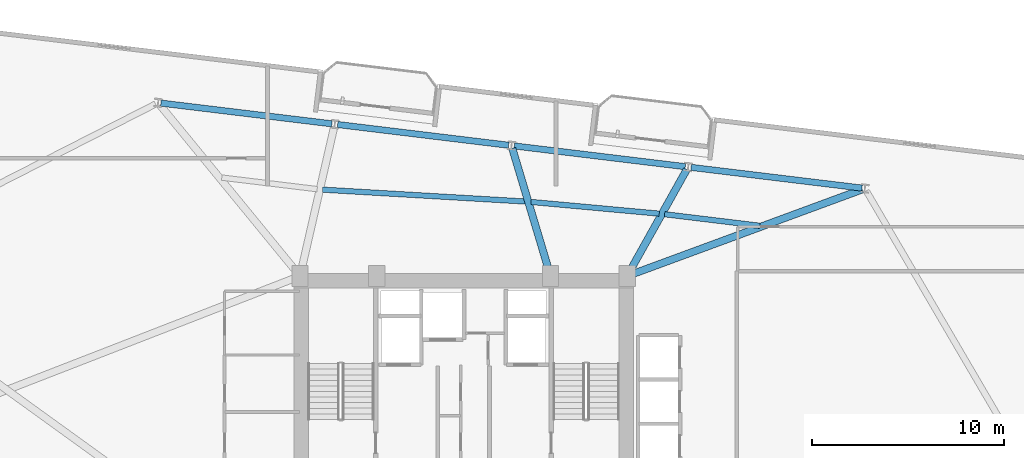
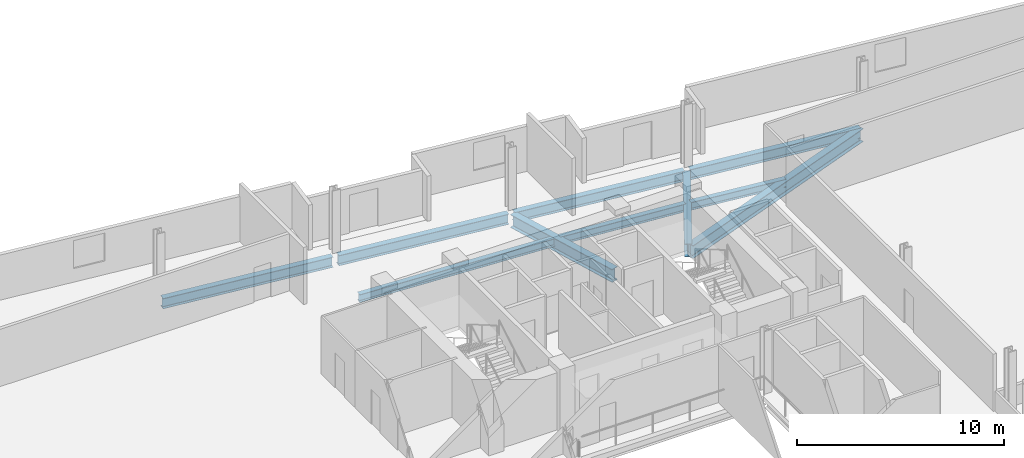
# One storey, part 13 of 26: 10 beams.
"""IFC4 building model written with IfcOpenShell, lengths in metres."""

from ifc_helpers import new_model, si_unit, direction, frame, origin, origin_2d, place, context, subcontext, project, spatial, i_section, extrude, material, material_profile, profile_set, type_object, element, save


model = new_model("IFC4")

# Units and contexts
model_context = context("Model", 3, precision=1e-05, world=origin(), true_north=direction((0.0, 1.0)))
body_context = subcontext(model_context, "Body", "Model", "MODEL_VIEW")
ifc_project = project(units=[si_unit("LENGTHUNIT", "METRE"), si_unit("AREAUNIT", "SQUARE_METRE"), si_unit("VOLUMEUNIT", "CUBIC_METRE"), si_unit("PLANEANGLEUNIT", "RADIAN"), si_unit("MASSUNIT", "GRAM", prefix="KILO")], contexts=[model_context])

# Site, building, storey
site_placement = place(None, origin())
site = spatial("IfcSite", under=ifc_project, at=site_placement, CompositionType="ELEMENT")
building_placement = place(site_placement, origin())
building = spatial("IfcBuilding", under=site, at=building_placement, Name="Varnelok Gate Tower", CompositionType="ELEMENT")
storey_placement = place(building_placement, frame((0.0, 0.0, 158.699951171875)))
storey = spatial("IfcBuildingStorey", under=building, at=storey_placement, Name="L40", CompositionType="ELEMENT", Elevation=158.699951171875)

# Beams
ifc_material = material(Name="Structural Steel ASTM A992 Grade 50", Category="steel")
ifc_material_profile_1 = material_profile(ifc_material, i_section(OverallWidth=0.280029296875, OverallDepth=0.462890625, WebThickness=0.0107421875, FlangeThickness=0.017333984375, FilletRadius=0.014892578125, at=origin_2d()), Name="W18X76")
ifc_profile_set_1 = profile_set([ifc_material_profile_1], Name="Structural Steel ASTM A992 Grade 50")
beam_type_1 = type_object("IfcBeamType", Name="BM-JST-W18X76", PredefinedType="JOIST", material=ifc_profile_set_1)
beam_1_placement = place(storey_placement, frame((54.60302734375, 41.662109375, -0.4814453125), z_axis=(-0.992726345513, 0.120392702953, 0.0), x_axis=(-0.120392702953, -0.992726345513, 0.0)))
element("IfcBeam", 1, at=beam_1_placement, inside=storey, type_object=beam_type_1, Name="L40 Sector Floor Joist 7", PredefinedType="JOIST", context=body_context, shape_type="SweptSolid", body=[
    extrude(i_section(OverallWidth=0.280029296875, OverallDepth=0.462890625, WebThickness=0.0107421875, FlangeThickness=0.017333984375, FilletRadius=0.014892578125, at=origin_2d()), origin(), (0.0, 0.0, 1.0), 4.99267578125),
])
beam_2_placement = place(storey_placement, frame((49.368408203125, 42.29248046875, -0.4814453125), z_axis=(-0.995851851567, 0.090989503412, 0.0), x_axis=(-0.090989503412, -0.995851851567, 0.0)))
element("IfcBeam", 2, at=beam_2_placement, inside=storey, type_object=beam_type_1, Name="L40 Sector Floor Joist 8", PredefinedType="JOIST", context=body_context, shape_type="SweptSolid", body=[
    extrude(i_section(OverallWidth=0.280029296875, OverallDepth=0.462890625, WebThickness=0.0107421875, FlangeThickness=0.017333984375, FilletRadius=0.014892578125, at=origin_2d()), origin(), (0.0, 0.0, 1.0), 6.694580078125),
])
beam_3_placement = place(storey_placement, frame((42.42236328125, 42.922607421875, -0.4814453125), z_axis=(-0.998288836644, 0.058475624263, 0.0), x_axis=(-0.058475624263, -0.998288836644, 0.0)))
element("IfcBeam", 3, at=beam_3_placement, inside=storey, type_object=beam_type_1, Name="L40 Sector Floor Joist 9", PredefinedType="JOIST", context=body_context, shape_type="SweptSolid", body=[
    extrude(i_section(OverallWidth=0.280029296875, OverallDepth=0.462890625, WebThickness=0.0107421875, FlangeThickness=0.017333984375, FilletRadius=0.014892578125, at=origin_2d()), origin(), (0.0, 0.0, 1.0), 10.5712890625),
])
ifc_material_profile_2 = material_profile(ifc_material, i_section(OverallWidth=0.381103515625, OverallDepth=0.77294921875, WebThickness=0.0166015625, FlangeThickness=0.027099609375, FilletRadius=0.02197265625, at=origin_2d()), Name="W30X173")
ifc_profile_set_2 = profile_set([ifc_material_profile_2], Name="Structural Steel ASTM A992 Grade 50")
beam_type_2 = type_object("IfcBeamType", Name="BM-PRI-W30X173", PredefinedType="BEAM", material=ifc_profile_set_2)
beam_4_placement = place(storey_placement, frame((47.8408203125, 39.101806640625, -0.636474609375), z_axis=(0.938296458402, 0.345831976761, 0.0), x_axis=(-0.345831976761, 0.938296458402, 0.0)))
element("IfcBeam", 4, at=beam_4_placement, inside=storey, type_object=beam_type_2, Name="L40 Radial Floor Girder 9", PredefinedType="BEAM", context=body_context, shape_type="SweptSolid", body=[
    extrude(i_section(OverallWidth=0.381103515625, OverallDepth=0.77294921875, WebThickness=0.0166015625, FlangeThickness=0.027099609375, FilletRadius=0.02197265625, at=origin_2d()), origin(), (0.0, 0.0, 1.0), 12.86669921875),
])
beam_5_placement = place(storey_placement, frame((47.773193359375, 39.180908203125, -0.636474609375), z_axis=(0.48838490004, 0.872628322605, 0.0), x_axis=(-0.872628322605, 0.48838490004, 0.0)))
element("IfcBeam", 5, at=beam_5_placement, inside=storey, type_object=beam_type_2, Name="L40 Radial Floor Girder 10", PredefinedType="BEAM", context=body_context, shape_type="SweptSolid", body=[
    extrude(i_section(OverallWidth=0.381103515625, OverallDepth=0.77294921875, WebThickness=0.0166015625, FlangeThickness=0.027099609375, FilletRadius=0.02197265625, at=origin_2d()), origin(), (0.0, 0.0, 1.0), 6.193603515625),
])
beam_6_placement = place(storey_placement, frame((43.677001953125, 39.193603515625, -0.636474609375), z_axis=(-0.28702069947, 0.957924380145, 0.0), x_axis=(-0.957924380145, -0.28702069947, 0.0)))
element("IfcBeam", 6, at=beam_6_placement, inside=storey, type_object=beam_type_2, Name="L40 Radial Floor Girder 11", PredefinedType="BEAM", context=body_context, shape_type="SweptSolid", body=[
    extrude(i_section(OverallWidth=0.381103515625, OverallDepth=0.77294921875, WebThickness=0.0166015625, FlangeThickness=0.027099609375, FilletRadius=0.02197265625, at=origin_2d()), origin(), (0.0, 0.0, 1.0), 6.777587890625),
])
ifc_material_profile_3 = material_profile(ifc_material, i_section(OverallWidth=0.323974609375, OverallDepth=0.611083984375, WebThickness=0.0126953125, FlangeThickness=0.01904296875, FilletRadius=0.01806640625, at=origin_2d()), Name="W24X104")
ifc_profile_set_3 = profile_set([ifc_material_profile_3], Name="Structural Steel ASTM A992 Grade 50")
beam_type_3 = type_object("IfcBeamType", Name="BM-SPN-W24X104", PredefinedType="SPANDREL", material=ifc_profile_set_3)
for number, where, z_axis, x_axis, name in (
    (7, (59.905517578125, 43.621337890625, -0.555419921875), (-0.99273141198, 0.120350918849, 0.0), (-0.120350918849, -0.99273141198, 0.0), "L40 Perimeter Spandrel Beam 9"),
    (8, (50.72265625, 44.734619140625, -0.555419921875), (-0.992734670707, 0.120324035735, 0.0), (-0.120324035735, -0.992734670707, 0.0), "L40 Perimeter Spandrel Beam 10"),
    (9, (41.539794921875, 45.847900390625, -0.555419921875), (-0.992734670707, 0.120324035735, 0.0), (-0.120324035735, -0.992734670707, 0.0), "L40 Perimeter Spandrel Beam 11"),
    (10, (32.357177734375, 46.9609375, -0.555419921875), (-0.99273141198, 0.120350918849, 0.0), (-0.120350918849, -0.99273141198, 0.0), "L40 Perimeter Spandrel Beam 12"),
):
    element("IfcBeam", number, at=place(storey_placement, frame(where, z_axis=z_axis, x_axis=x_axis)), inside=storey, type_object=beam_type_3, Name=name, PredefinedType="SPANDREL", context=body_context, shape_type="SweptSolid", body=[
        extrude(i_section(OverallWidth=0.323974609375, OverallDepth=0.611083984375, WebThickness=0.0126953125, FlangeThickness=0.01904296875, FilletRadius=0.01806640625, at=origin_2d()), origin(), (0.0, 0.0, 1.0), 8.949951171875),
    ])

save(model, "model.ifc")
